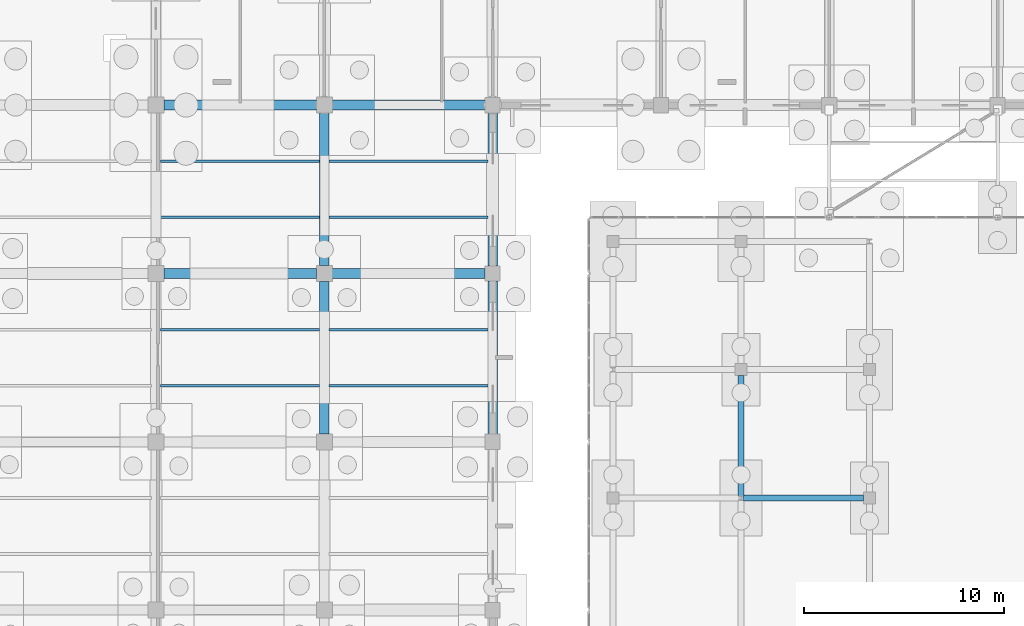
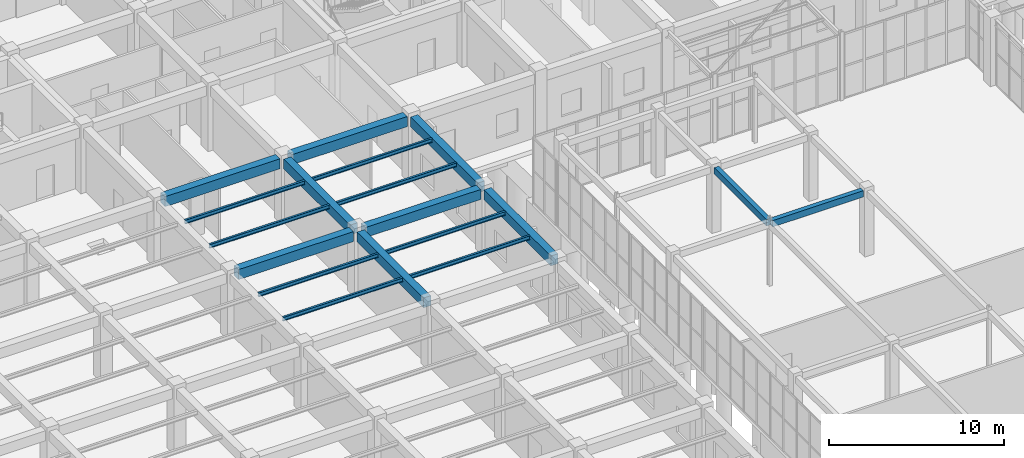
# One storey, part 87 of 192: 18 beams.
"""IFC4 building model written with IfcOpenShell, lengths in metres."""

import ifcopenshell
import ifcopenshell.guid

model = None  # the IFC model being written
_history = None  # IfcOwnerHistory: only IFC2X3 demands one
_inside = {}  # id of a spatial element -> (the spatial element, [elements in it])
_under = {}  # id of a project, library or spatial element -> (it, [spatial elements below it])
_declared = {}  # id of a project -> (the project, [libraries it declares])
_typed = {}  # id of a type object -> (the type object, [elements of that type])
_made_of = {}  # id of a material, layer set ... -> (it, [elements and type objects made of it])


def new_model(schema):
    """Start an empty IFC model of exactly this schema.

    Asked for "IFC4X3", IfcOpenShell would pick the latest addendum, in which some entities
    have other attributes; the version numbers below select the first issue.
    IFC2X3 requires an IfcOwnerHistory on every rooted entity: one is made here for all.
    """
    global model, _history
    if schema == "IFC4X3":
        model = ifcopenshell.file(schema_version=(4, 3, 0, 0))
    else:
        model = ifcopenshell.file(schema=schema)
    _inside.clear()
    _under.clear()
    _declared.clear()
    _typed.clear()
    _made_of.clear()
    _history = None
    if model.schema == "IFC2X3":
        org = make("IfcOrganization", Name="unknown")
        user = make(
            "IfcPersonAndOrganization",
            ThePerson=make("IfcPerson", FamilyName="unknown"),
            TheOrganization=org,
        )
        app = make(
            "IfcApplication",
            ApplicationDeveloper=org,
            Version="unknown",
            ApplicationFullName="unknown",
            ApplicationIdentifier="unknown",
        )
        _history = make(
            "IfcOwnerHistory",
            OwningUser=user,
            OwningApplication=app,
            ChangeAction="ADDED",
            CreationDate=0,
        )
    return model


def make(cls, **values):
    """One entity of the class cls with the attributes given. An attribute that is None is left unset."""
    return model.create_entity(
        cls, **{name: value for name, value in values.items() if value is not None}
    )


def rooted(cls, **values):
    """An entity with a GlobalId (a new one), such as an element, a storey or a relation."""
    return make(cls, GlobalId=ifcopenshell.guid.new(), OwnerHistory=_history, **values)


def si_unit(unit_type, name, prefix=None):
    """IfcSIUnit, for example si_unit("LENGTHUNIT", "METRE", prefix="MILLI")."""
    return make("IfcSIUnit", UnitType=unit_type, Prefix=prefix, Name=name)


def assignment(units):
    """IfcUnitAssignment: the units of a project."""
    return None if units is None else make("IfcUnitAssignment", Units=units)


def point(xyz):
    """IfcCartesianPoint."""
    return None if xyz is None else make("IfcCartesianPoint", Coordinates=xyz)


def direction(xyz):
    """IfcDirection."""
    return None if xyz is None else make("IfcDirection", DirectionRatios=xyz)


def frame(location, z_axis=None, x_axis=None):
    """IfcAxis2Placement3D, a coordinate frame: its origin and axes. An axis left out is left unset."""
    return make(
        "IfcAxis2Placement3D",
        Location=point(location),
        Axis=direction(z_axis),
        RefDirection=direction(x_axis),
    )


def frame_2d(location, x_axis=None):
    """IfcAxis2Placement2D, a coordinate frame in the plane: its origin and x axis."""
    return make(
        "IfcAxis2Placement2D", Location=point(location), RefDirection=direction(x_axis)
    )


def origin():
    """The frame at (0, 0, 0) with its axes left unset."""
    return frame((0.0, 0.0, 0.0))


def origin_2d():
    """The frame at (0, 0) in the plane with its x axis left unset."""
    return frame_2d((0.0, 0.0))


def place(relative_to, where):
    """IfcLocalPlacement: puts the frame where relative to a parent placement (None: the world)."""
    return make(
        "IfcLocalPlacement", PlacementRelTo=relative_to, RelativePlacement=where
    )


def context(
    kind, dimensions, precision=None, world=None, true_north=None, identifier=None
):
    """IfcGeometricRepresentationContext, for example the 3D "Model" context."""
    return make(
        "IfcGeometricRepresentationContext",
        ContextIdentifier=identifier,
        ContextType=kind,
        CoordinateSpaceDimension=dimensions,
        Precision=precision,
        WorldCoordinateSystem=world,
        TrueNorth=true_north,
    )


def subcontext(parent, identifier, kind, view, scale=None):
    """IfcGeometricRepresentationSubContext, for example "Body" below "Model"."""
    return make(
        "IfcGeometricRepresentationSubContext",
        ContextIdentifier=identifier,
        ContextType=kind,
        ParentContext=parent,
        TargetScale=scale,
        TargetView=view,
    )


def project(units=None, contexts=None):
    """IfcProject with its units and contexts."""
    return rooted(
        "IfcProject",
        Name="project",
        RepresentationContexts=contexts,
        UnitsInContext=assignment(units),
    )


def spatial(cls, under=None, at=None, **own):
    """A site, building, storey or space (cls), placed at a placement, below another one or the project."""
    s = rooted(cls, ObjectPlacement=at, **own)
    if under is not None:
        _under.setdefault(under.id(), (under, []))[1].append(s)
    return s


def profile(cls, at=None, kind="AREA", **sizes):
    """A parametric profile (cls). Its sizes go by their IFC names, for example OverallWidth=200.0."""
    return make(cls, ProfileType=kind, Position=at, **sizes)


def rectangle(**sizes):
    """IfcRectangleProfileDef."""
    return profile("IfcRectangleProfileDef", **sizes)


def i_section(**sizes):
    """IfcIShapeProfileDef."""
    return profile("IfcIShapeProfileDef", **sizes)


def extrude(swept, where, along, depth):
    """IfcExtrudedAreaSolid: the profile swept, set in the frame where, extruded along a direction by depth."""
    return make(
        "IfcExtrudedAreaSolid",
        SweptArea=swept,
        Position=where,
        ExtrudedDirection=direction(along),
        Depth=depth,
    )


def shape(context_of_items, identifier, shape_type, items):
    """IfcShapeRepresentation: the items that make up one representation, for example the "Body"."""
    return make(
        "IfcShapeRepresentation",
        ContextOfItems=context_of_items,
        RepresentationIdentifier=identifier,
        RepresentationType=shape_type,
        Items=items,
    )


def material(Name=None, Category=None):
    """IfcMaterial."""
    return make("IfcMaterial", Name=Name, Category=Category)


def material_profile(
    of_material, cross_section, Name=None, Category=None, Priority=None
):
    """IfcMaterialProfile: a cross section and its material."""
    return make(
        "IfcMaterialProfile",
        Name=Name,
        Material=of_material,
        Profile=cross_section,
        Priority=Priority,
        Category=Category,
    )


def profile_set(profiles, Name=None, composite=None):
    """IfcMaterialProfileSet."""
    return make(
        "IfcMaterialProfileSet",
        Name=Name,
        MaterialProfiles=profiles,
        CompositeProfile=composite,
    )


def made_of(thing, what):
    """Note that an element or type object is made of a material, layer set ...; save() writes the relation."""
    if what is not None:
        _made_of.setdefault(what.id(), (what, []))[1].append(thing)
    return thing


def type_object(cls, material=None, **own):
    """A type object (cls), such as IfcWallType, which elements share."""
    return made_of(rooted(cls, **own), material)


def element(
    cls,
    number,
    at=None,
    inside=None,
    cuts=None,
    type_object=None,
    material=None,
    context=None,
    identifier="Body",
    shape_type=None,
    held_by="IfcProductDefinitionShape",
    body=None,
    shapes=None,
    **own,
):
    """One element of the class cls, such as IfcWall. Its Tag is "e" and its number.

    at: its placement. inside: the storey or other place that contains it. cuts: it is an
    opening in that element (IfcRelVoidsElement). A single representation is given by context,
    identifier, shape_type and body (its items); several are given by shapes. held_by: the class
    of the entity that holds the representations. save() writes the other relations.
    """
    e = rooted(cls, Tag="e%d" % number, ObjectPlacement=at, **own)
    if body is not None:
        shapes = [shape(context, identifier, shape_type, body)]
    if shapes is not None:
        e.Representation = make(held_by, Representations=shapes)
    if inside is not None:
        _inside.setdefault(inside.id(), (inside, []))[1].append(e)
    if cuts is not None:
        rooted(
            "IfcRelVoidsElement", RelatingBuildingElement=cuts, RelatedOpeningElement=e
        )
    if type_object is not None:
        _typed.setdefault(type_object.id(), (type_object, []))[1].append(e)
    return made_of(e, material)


def aggregate(whole, parts):
    """IfcRelAggregates: a whole, such as a stair, and the parts it consists of."""
    return rooted("IfcRelAggregates", RelatingObject=whole, RelatedObjects=parts)


def save(model, path):
    """Write the relations noted so far, then the file.

    IfcRelAggregates (storeys below a building ...), IfcRelContainedInSpatialStructure (elements
    in a storey), IfcRelDefinesByType, IfcRelAssociatesMaterial and IfcRelDeclares: one each for
    every whole, place, type object, material and project.
    """
    for whole, parts in _under.values():
        aggregate(whole, parts)
    for where, things in _inside.values():
        rooted(
            "IfcRelContainedInSpatialStructure",
            RelatedElements=things,
            RelatingStructure=where,
        )
    for kind, things in _typed.values():
        rooted("IfcRelDefinesByType", RelatedObjects=things, RelatingType=kind)
    for what, things in _made_of.values():
        rooted("IfcRelAssociatesMaterial", RelatedObjects=things, RelatingMaterial=what)
    for by, libraries in _declared.values():
        rooted("IfcRelDeclares", RelatingContext=by, RelatedDefinitions=libraries)
    model.write(path)


model = new_model("IFC4")

# Units and contexts
model_context = context("Model", 3, precision=1e-05, world=origin(), true_north=direction((0.0, 1.0)))
body_context = subcontext(model_context, "Body", "Model", "MODEL_VIEW")
ifc_project = project(units=[si_unit("LENGTHUNIT", "METRE"), si_unit("AREAUNIT", "SQUARE_METRE"), si_unit("VOLUMEUNIT", "CUBIC_METRE"), si_unit("PLANEANGLEUNIT", "RADIAN"), si_unit("MASSUNIT", "GRAM", prefix="KILO")], contexts=[model_context])

# Site, building, storey
site_placement = place(None, origin())
site = spatial("IfcSite", under=ifc_project, at=site_placement, CompositionType="ELEMENT")
building_placement = place(site_placement, origin())
building = spatial("IfcBuilding", under=site, at=building_placement, Name="Trelvath General Hospital", CompositionType="ELEMENT")
storey_placement = place(building_placement, origin())
storey = spatial("IfcBuildingStorey", under=building, at=storey_placement, Name="L00", CompositionType="ELEMENT", Elevation=0.0)

# Beams
ifc_material_1 = material(Name="Concrete C35/45", Category="concrete")
ifc_material_profile_1 = material_profile(ifc_material_1, rectangle(XDim=0.300048828125, YDim=0.449951171875, at=origin_2d()), Name="RCB300x450")
ifc_profile_set_1 = profile_set([ifc_material_profile_1], Name="Concrete C35/45")
beam_type_1 = type_object("IfcBeamType", Name="Beam RC300x450", PredefinedType="BEAM", material=ifc_profile_set_1)
beam_1_placement = place(storey_placement, frame((54.506103515625, 72.800048828125, 4.3349609375), z_axis=(1.0, 0.0, 0.0), x_axis=(0.0, 1.0, 0.0)))
element("IfcBeam", 1, at=beam_1_placement, inside=storey, type_object=beam_type_1, Name="Cube Interior Ring Beam CUBE-W-T0 L00", PredefinedType="BEAM", context=body_context, shape_type="SweptSolid", body=[
    extrude(rectangle(XDim=0.300048828125, YDim=0.449951171875, at=origin_2d()), origin(), (0.0, 0.0, 1.0), 5.997802734375),
])
beam_2_placement = place(storey_placement, frame((54.39990234375, 72.906005859375, 4.3349609375), z_axis=(0.0, 1.0, 0.0), x_axis=(-1.0, 0.0, 0.0)))
element("IfcBeam", 2, at=beam_2_placement, inside=storey, type_object=beam_type_1, Name="Cube Interior Ring Beam CUBE-W-T0 L00", PredefinedType="BEAM", context=body_context, shape_type="SweptSolid", body=[
    extrude(rectangle(XDim=0.300048828125, YDim=0.449951171875, at=origin_2d()), origin(), (0.0, 0.0, 1.0), 5.998046875),
])
ifc_material_2 = material(Name="Concrete C35/45", Category="concrete")
ifc_material_profile_2 = material_profile(ifc_material_2, rectangle(XDim=0.47998046875, YDim=0.679931640625, at=origin_2d()), Name="RCB480x680")
ifc_profile_set_2 = profile_set([ifc_material_profile_2], Name="Concrete C35/45")
beam_type_2 = type_object("IfcBeamType", Name="Beam RC480x680", PredefinedType="BEAM", material=ifc_profile_set_2)
for number, where, z_axis, x_axis, name in (
    (3, (33.60009765625, 75.9951171875, 4.179931640625), (0.0, 1.0, 0.0), (-1.0, 0.0, 0.0), "Grid Beam BY-004J"),
    (4, (33.60009765625, 84.39501953125, 4.179931640625), (0.0, 1.0, 0.0), (-1.0, 0.0, 0.0), "Grid Beam BY-004K"),
):
    element("IfcBeam", number, at=place(storey_placement, frame(where, z_axis=z_axis, x_axis=x_axis)), inside=storey, type_object=beam_type_2, Name=name, PredefinedType="BEAM", context=body_context, shape_type="SweptSolid", body=[
        extrude(rectangle(XDim=0.47998046875, YDim=0.679931640625, at=origin_2d()), origin(), (0.0, 0.0, 1.0), 7.60986328125),
    ])
for number, where, z_axis, x_axis, name in (
    (5, (42.0, 75.97509765625, 4.179931640625), (0.0, 1.0, 0.0), (-1.0, 0.0, 0.0), "Grid Beam BY-005J"),
    (6, (42.0, 84.375, 4.179931640625), (0.0, 1.0, 0.0), (-1.0, 0.0, 0.0), "Grid Beam BY-005K"),
):
    element("IfcBeam", number, at=place(storey_placement, frame(where, z_axis=z_axis, x_axis=x_axis)), inside=storey, type_object=beam_type_2, Name=name, PredefinedType="BEAM", context=body_context, shape_type="SweptSolid", body=[
        extrude(rectangle(XDim=0.47998046875, YDim=0.679931640625, at=origin_2d()), origin(), (0.0, 0.0, 1.0), 7.64990234375),
    ])
ifc_material_3 = material(Name="Concrete C35/45", Category="concrete")
ifc_material_profile_3 = material_profile(ifc_material_3, rectangle(XDim=0.5, YDim=0.699951171875, at=origin_2d()), Name="RCB500x700")
ifc_profile_set_3 = profile_set([ifc_material_profile_3], Name="Concrete C35/45")
beam_type_3 = type_object("IfcBeamType", Name="Beam RC500x700", PredefinedType="BEAM", material=ifc_profile_set_3)
for number, where, z_axis, x_axis, name in (
    (7, (25.594970703125, 84.0, 4.169921875), (1.0, 0.0, 0.0), (0.0, 1.0, 0.0), "Grid Beam BX-003K"),
    (8, (25.594970703125, 92.39990234375, 4.169921875), (1.0, 0.0, 0.0), (0.0, 1.0, 0.0), "Grid Beam BX-003L"),
):
    element("IfcBeam", number, at=place(storey_placement, frame(where, z_axis=z_axis, x_axis=x_axis)), inside=storey, type_object=beam_type_3, Name=name, PredefinedType="BEAM", context=body_context, shape_type="SweptSolid", body=[
        extrude(rectangle(XDim=0.5, YDim=0.699951171875, at=origin_2d()), origin(), (0.0, 0.0, 1.0), 7.610107421875),
    ])
for number, where, z_axis, x_axis, name in (
    (9, (33.9951171875, 84.0, 4.169921875), (1.0, 0.0, 0.0), (0.0, 1.0, 0.0), "Grid Beam BX-004K"),
    (10, (33.9951171875, 92.39990234375, 4.169921875), (1.0, 0.0, 0.0), (0.0, 1.0, 0.0), "Grid Beam BX-004L"),
):
    element("IfcBeam", number, at=place(storey_placement, frame(where, z_axis=z_axis, x_axis=x_axis)), inside=storey, type_object=beam_type_3, Name=name, PredefinedType="BEAM", context=body_context, shape_type="SweptSolid", body=[
        extrude(rectangle(XDim=0.5, YDim=0.699951171875, at=origin_2d()), origin(), (0.0, 0.0, 1.0), 7.6298828125),
    ])
ifc_material_4 = material(Name="Steel S355", Category="steel")
ifc_material_profile_4 = material_profile(ifc_material_4, i_section(OverallWidth=0.135009765625, OverallDepth=0.27001953125, WebThickness=0.006591796875, FlangeThickness=0.01025390625, at=origin_2d()), Name="IPE270")
ifc_profile_set_4 = profile_set([ifc_material_profile_4], Name="Steel S355")
beam_type_4 = type_object("IfcBeamType", Name="InterstitialJoist IPE270", PredefinedType="JOIST", material=ifc_profile_set_4)
for number, where, z_axis, x_axis, name in (
    (11, (25.429931640625, 78.39990234375, 4.385009765625), (1.0, 0.0, 0.0), (0.0, 1.0, 0.0), "Interstitial Deck Joist IJ-1-083"),
    (12, (25.429931640625, 81.199951171875, 4.385009765625), (1.0, 0.0, 0.0), (0.0, 1.0, 0.0), "Interstitial Deck Joist IJ-1-084"),
    (13, (25.429931640625, 86.800048828125, 4.385009765625), (1.0, 0.0, 0.0), (0.0, 1.0, 0.0), "Interstitial Deck Joist IJ-1-085"),
    (14, (25.429931640625, 89.60009765625, 4.385009765625), (1.0, 0.0, 0.0), (0.0, 1.0, 0.0), "Interstitial Deck Joist IJ-1-086"),
):
    element("IfcBeam", number, at=place(storey_placement, frame(where, z_axis=z_axis, x_axis=x_axis)), inside=storey, type_object=beam_type_4, Name=name, PredefinedType="JOIST", context=body_context, shape_type="SweptSolid", body=[
        extrude(i_section(OverallWidth=0.135009765625, OverallDepth=0.27001953125, WebThickness=0.006591796875, FlangeThickness=0.01025390625, at=origin_2d()), origin(), (0.0, 0.0, 1.0), 7.940185546875),
    ])
for number, where, z_axis, x_axis, name in (
    (15, (33.830078125, 78.39990234375, 4.385009765625), (1.0, 0.0, 0.0), (0.0, 1.0, 0.0), "Interstitial Deck Joist IJ-1-099"),
    (16, (33.830078125, 81.199951171875, 4.385009765625), (1.0, 0.0, 0.0), (0.0, 1.0, 0.0), "Interstitial Deck Joist IJ-1-100"),
    (17, (33.830078125, 86.800048828125, 4.385009765625), (1.0, 0.0, 0.0), (0.0, 1.0, 0.0), "Interstitial Deck Joist IJ-1-101"),
    (18, (33.830078125, 89.60009765625, 4.385009765625), (1.0, 0.0, 0.0), (0.0, 1.0, 0.0), "Interstitial Deck Joist IJ-1-102"),
):
    element("IfcBeam", number, at=place(storey_placement, frame(where, z_axis=z_axis, x_axis=x_axis)), inside=storey, type_object=beam_type_4, Name=name, PredefinedType="JOIST", context=body_context, shape_type="SweptSolid", body=[
        extrude(i_section(OverallWidth=0.135009765625, OverallDepth=0.27001953125, WebThickness=0.006591796875, FlangeThickness=0.01025390625, at=origin_2d()), origin(), (0.0, 0.0, 1.0), 7.93994140625),
    ])

save(model, "model.ifc")
